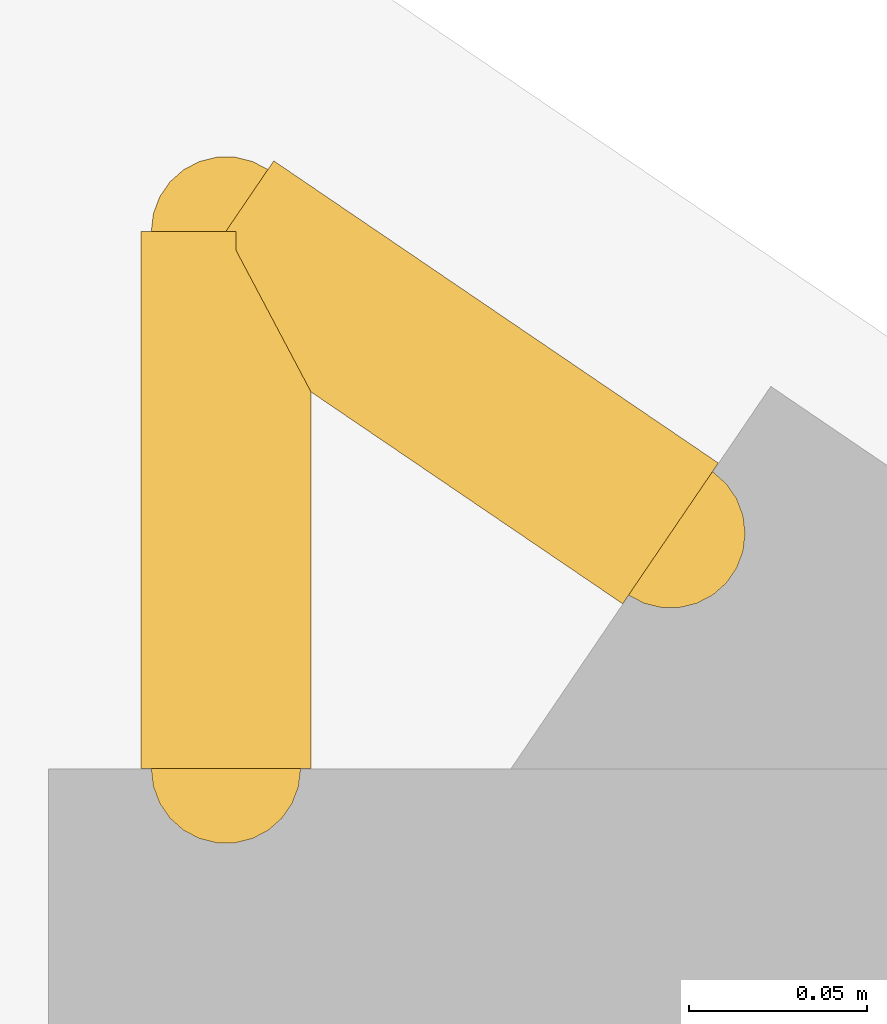
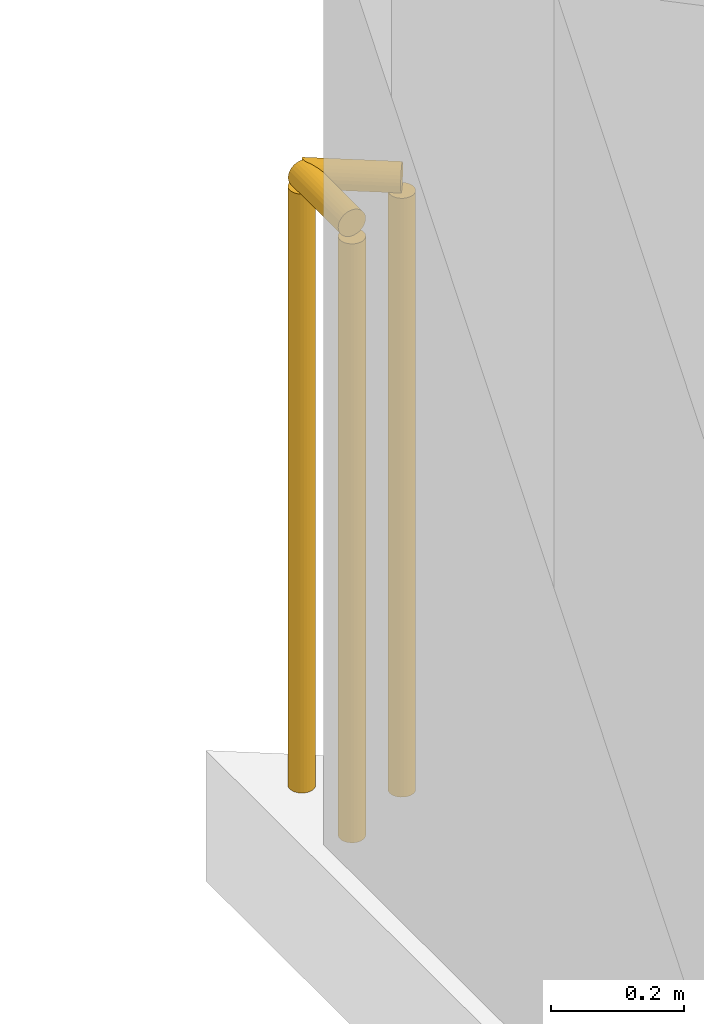
# One storey, part 18 of 19: 2 railings.
"""IFC4 building model written with IfcOpenShell, lengths in metres."""

from ifc_helpers import new_model, si_unit, direction, frame, origin, origin_2d, place, context, subcontext, project, spatial, circle, extrude, material, type_object, element, save


model = new_model("IFC4")

# Units and contexts
model_context = context("Model", 3, precision=1e-05, world=origin(), true_north=direction((0.0, 1.0)))
body_context = subcontext(model_context, "Body", "Model", "MODEL_VIEW")
ifc_project = project(units=[si_unit("LENGTHUNIT", "METRE"), si_unit("AREAUNIT", "SQUARE_METRE"), si_unit("VOLUMEUNIT", "CUBIC_METRE"), si_unit("PLANEANGLEUNIT", "RADIAN"), si_unit("MASSUNIT", "GRAM", prefix="KILO")], contexts=[model_context])

# Site, building, storey
site_placement = place(None, origin())
site = spatial("IfcSite", under=ifc_project, at=site_placement, CompositionType="ELEMENT")
building_placement = place(site_placement, origin())
building = spatial("IfcBuilding", under=site, at=building_placement, Name="Varnakote Quay Hospital", CompositionType="ELEMENT")
storey_placement = place(building_placement, frame((0.0, 0.0, 89.64990234375)))
storey = spatial("IfcBuildingStorey", under=building, at=storey_placement, Name="L22", CompositionType="ELEMENT", Elevation=89.64990234375)

# Railings
ifc_material = material(Name="Anodised aluminium 6063-T6 Bronze", Category="aluminium")
railing_type = type_object("IfcRailingType", Name="RLG-EXT-GUARD-1150", PredefinedType="GUARDRAIL", material=ifc_material)
railing_1_placement = place(storey_placement, frame((2.679931640625, 43.497802734375, 0.0)))
element("IfcRailing", 1, at=railing_1_placement, inside=storey, type_object=railing_type, Name="L22 Slab Edge Perimeter Safety Guard", PredefinedType="GUARDRAIL", context=body_context, shape_type="SweptSolid", body=[
    extrude(circle(Radius=0.02392578125, at=origin_2d()), frame((0.0, 0.0, 1.1259765625), z_axis=(0.0, 1.0, 0.0), x_axis=(-1.0, 0.0, 0.0)), (0.0, 0.0, 1.0), 0.151123046875),
    extrude(circle(Radius=0.02099609375, at=origin_2d()), origin(), (0.0, 0.0, 1.0), 1.101806640625),
    extrude(circle(Radius=0.02099609375, at=origin_2d()), frame((0.0, 0.151123046875, 0.0)), (0.0, 0.0, 1.0), 1.101806640625),
])
railing_2_placement = place(storey_placement, frame((2.679931640625, 43.64892578125, 0.0)))
element("IfcRailing", 2, at=railing_2_placement, inside=storey, type_object=railing_type, Name="L22 Slab Edge Perimeter Safety Guard", PredefinedType="GUARDRAIL", context=body_context, shape_type="SweptSolid", body=[
    extrude(circle(Radius=0.02392578125, at=origin_2d()), frame((0.0, 0.0, 1.1259765625), z_axis=(0.827046660574, -0.562133277109, 0.0), x_axis=(0.562133277109, 0.827046660574, 0.0)), (0.0, 0.0, 1.0), 0.151123046875),
    extrude(circle(Radius=0.02099609375, at=origin_2d()), origin(), (0.0, 0.0, 1.0), 1.101806640625),
    extrude(circle(Radius=0.02099609375, at=origin_2d()), frame((0.125, -0.0849609375, 0.0)), (0.0, 0.0, 1.0), 1.101806640625),
])

save(model, "model.ifc")
